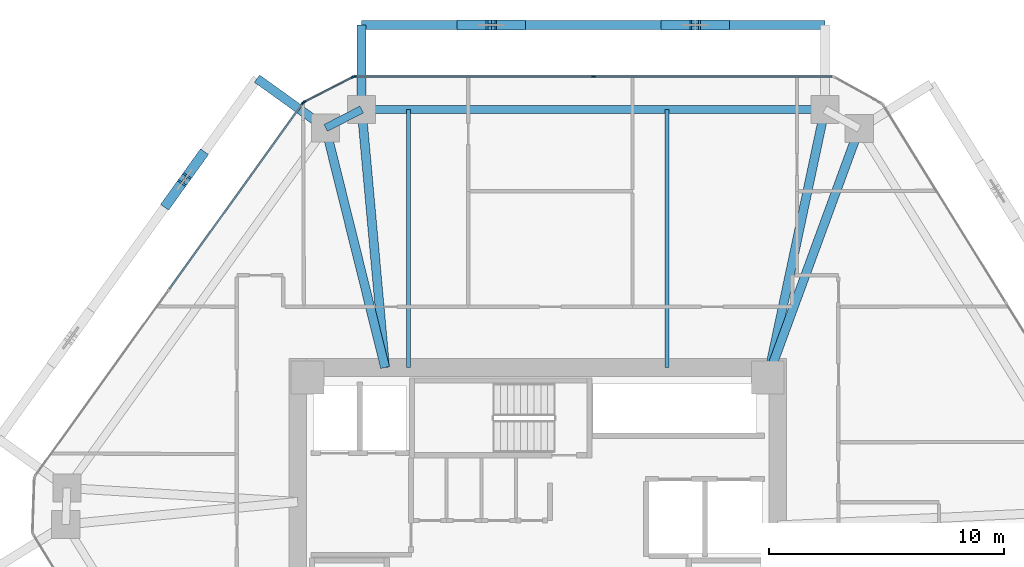
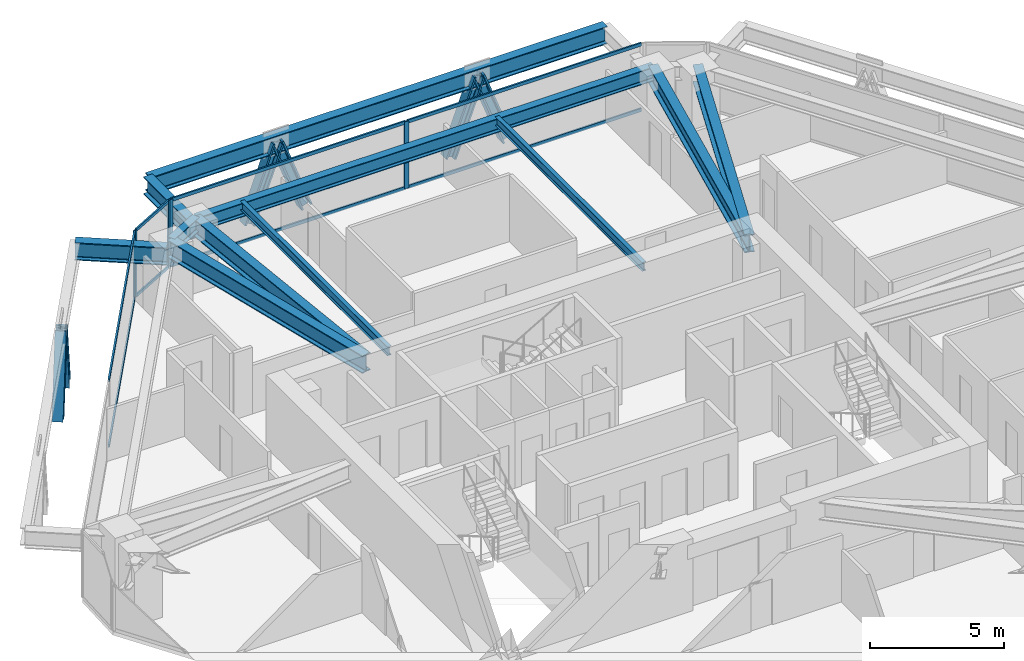
# One storey, part 7 of 16: 19 members, 11 beams, 3 elements without a shape of their own.
"""IFC4 building model written with IfcOpenShell, lengths in metres."""

from ifc_helpers import new_model, si_unit, direction, frame, origin, origin_2d, place, context, subcontext, project, spatial, rectangle, i_section, extrude, source, transform, mapped, material, layer, layer_set, material_profile, profile_set, type_object, type_shapes, element, aggregate, save


model = new_model("IFC4")

# Units and contexts
model_context = context("Model", 3, precision=1e-05, world=origin(), true_north=direction((0.0, 1.0)))
body_context = subcontext(model_context, "Body", "Model", "MODEL_VIEW")
ifc_project = project(units=[si_unit("LENGTHUNIT", "METRE"), si_unit("AREAUNIT", "SQUARE_METRE"), si_unit("VOLUMEUNIT", "CUBIC_METRE"), si_unit("PLANEANGLEUNIT", "RADIAN"), si_unit("MASSUNIT", "GRAM", prefix="KILO")], contexts=[model_context])

# Site, building, storey
site_placement = place(None, origin())
site = spatial("IfcSite", under=ifc_project, at=site_placement, CompositionType="ELEMENT")
building_placement = place(site_placement, origin())
building = spatial("IfcBuilding", under=site, at=building_placement, Name="Durnholm Broadcast Tower", CompositionType="ELEMENT")
storey_placement = place(building_placement, frame((0.0, 0.0, 110.699951171875)))
storey = spatial("IfcBuildingStorey", under=building, at=storey_placement, Name="L29", CompositionType="ELEMENT", Elevation=110.699951171875)

# Beams
ifc_material_1 = material(Name="Steel ASTM A992 Grade 50", Category="steel")
ifc_material_profile_1 = material_profile(ifc_material_1, i_section(OverallWidth=0.385009765625, OverallDepth=0.802978515625, WebThickness=0.023681640625, FlangeThickness=0.0419921875, FilletRadius=0.032958984375, at=origin_2d()), Name="W30X261")
ifc_profile_set_1 = profile_set([ifc_material_profile_1], Name="Steel ASTM A992 Grade 50")
beam_type_1 = type_object("IfcBeamType", Name="BM-EXO-TIE", PredefinedType="USERDEFINED", material=ifc_profile_set_1)
shared_shape_1 = source(origin(), body_context, "Body", "SweptSolid", [
    extrude(i_section(OverallWidth=0.385009765625, OverallDepth=0.802978515625, WebThickness=0.023681640625, FlangeThickness=0.0419921875, FilletRadius=0.032958984375, at=origin_2d()), origin(), (0.0, 0.0, 1.0), 3.4560546875),
])
beam_1_placement = place(storey_placement, frame((-7.498046875, 19.35888671875, 2.30859375), z_axis=(0.0, 1.0, 0.0), x_axis=(-1.0, 0.0, 0.0)))
element("IfcBeam", 1, at=beam_1_placement, inside=storey, type_object=beam_type_1, Name="L29 exoskeleton stand-off tie bracket F4.2", ObjectType="GIRDER", PredefinedType="USERDEFINED", context=body_context, shape_type="MappedRepresentation", body=[
    mapped(shared_shape_1, transform((0.0, 0.0, 0.0), x_axis=(1.0, 0.0, 0.0), y_axis=(0.0, 1.0, 0.0), z_axis=(0.0, 0.0, 1.0), scale=1.0)),
])
ifc_material_profile_2 = material_profile(ifc_material_1, i_section(OverallWidth=0.3291015625, OverallDepth=0.635009765625, WebThickness=0.017822265625, FlangeThickness=0.031005859375, FilletRadius=0.02783203125, at=origin_2d()), Name="W24X162")
ifc_profile_set_2 = profile_set([ifc_material_profile_2], Name="Steel ASTM A992 Grade 50")
beam_type_2 = type_object("IfcBeamType", Name="STL-SP-W24X162", PredefinedType="SPANDREL", material=ifc_profile_set_2)
shared_shape_2 = source(origin(), body_context, "Body", "SweptSolid", [
    extrude(i_section(OverallWidth=0.3291015625, OverallDepth=0.635009765625, WebThickness=0.017822265625, FlangeThickness=0.031005859375, FilletRadius=0.02783203125, at=origin_2d()), origin(), (0.0, 0.0, 1.0), 1.723876953125),
])
beam_2_placement = place(storey_placement, frame((-9.031982421875, 18.42822265625, 2.7275390625), z_axis=(0.889762904339, 0.456423020959, 0.0), x_axis=(-0.456423020959, 0.889762904339, 0.0)))
element("IfcBeam", 2, at=beam_2_placement, inside=storey, type_object=beam_type_2, Name="L29 perimeter spandrel girder 04", PredefinedType="SPANDREL", context=body_context, shape_type="MappedRepresentation", body=[
    mapped(shared_shape_2, transform((0.0, 0.0, 0.0), x_axis=(1.0, 0.0, 0.0), y_axis=(0.0, 1.0, 0.0), z_axis=(0.0, 0.0, 1.0), scale=1.0)),
])
shared_shape_3 = source(origin(), body_context, "Body", "SweptSolid", [
    extrude(i_section(OverallWidth=0.3291015625, OverallDepth=0.635009765625, WebThickness=0.017822265625, FlangeThickness=0.031005859375, FilletRadius=0.02783203125, at=origin_2d()), origin(), (0.0, 0.0, 1.0), 19.72802734375),
])
type_shapes(beam_type_2, [shared_shape_2, shared_shape_3])
beam_3_placement = place(storey_placement, frame((-7.498046875, 19.215087890625, 2.7275390625), z_axis=(1.0, 0.0, 0.0), x_axis=(0.0, 1.0, 0.0)))
element("IfcBeam", 3, at=beam_3_placement, inside=storey, type_object=beam_type_2, Name="L29 perimeter spandrel girder 05", PredefinedType="SPANDREL", context=body_context, shape_type="MappedRepresentation", body=[
    mapped(shared_shape_3, transform((0.0, 0.0, 0.0), x_axis=(1.0, 0.0, 0.0), y_axis=(0.0, 1.0, 0.0), z_axis=(0.0, 0.0, 1.0), scale=1.0)),
])
ifc_material_profile_3 = material_profile(ifc_material_1, i_section(OverallWidth=0.385009765625, OverallDepth=0.802978515625, WebThickness=0.023681640625, FlangeThickness=0.0419921875, FilletRadius=0.032958984375, at=origin_2d()), Name="W30X261")
ifc_profile_set_3 = profile_set([ifc_material_profile_3], Name="Steel ASTM A992 Grade 50")
beam_type_3 = type_object("IfcBeamType", Name="STL-GR-W30X261", PredefinedType="USERDEFINED", material=ifc_profile_set_3)
shared_shape_4 = source(origin(), body_context, "Body", "SweptSolid", [
    extrude(i_section(OverallWidth=0.385009765625, OverallDepth=0.802978515625, WebThickness=0.023681640625, FlangeThickness=0.0419921875, FilletRadius=0.032958984375, at=origin_2d()), origin(), (0.0, 0.0, 1.0), 10.5126953125),
])
beam_4_placement = place(storey_placement, frame((-6.5, 8.22509765625, 2.6435546875), z_axis=(-0.240852230194, 0.970561797729, 0.0), x_axis=(-0.970561797729, -0.240852230194, 0.0)))
element("IfcBeam", 4, at=beam_4_placement, inside=storey, type_object=beam_type_3, Name="L29 radial primary floor girder 04", ObjectType="GIRDER", PredefinedType="USERDEFINED", context=body_context, shape_type="MappedRepresentation", body=[
    mapped(shared_shape_4, transform((0.0, 0.0, 0.0), x_axis=(1.0, 0.0, 0.0), y_axis=(0.0, 1.0, 0.0), z_axis=(0.0, 0.0, 1.0), scale=1.0)),
])
shared_shape_5 = source(origin(), body_context, "Body", "SweptSolid", [
    extrude(i_section(OverallWidth=0.385009765625, OverallDepth=0.802978515625, WebThickness=0.023681640625, FlangeThickness=0.0419921875, FilletRadius=0.032958984375, at=origin_2d()), origin(), (0.0, 0.0, 1.0), 11.03515625),
])
beam_5_placement = place(storey_placement, frame((-6.5, 8.22509765625, 2.6435546875), z_axis=(-0.090441991612, 0.995901725148, 0.0), x_axis=(-0.995901725148, -0.090441991612, 0.0)))
element("IfcBeam", 5, at=beam_5_placement, inside=storey, type_object=beam_type_3, Name="L29 radial primary floor girder 05", ObjectType="GIRDER", PredefinedType="USERDEFINED", context=body_context, shape_type="MappedRepresentation", body=[
    mapped(shared_shape_5, transform((0.0, 0.0, 0.0), x_axis=(1.0, 0.0, 0.0), y_axis=(0.0, 1.0, 0.0), z_axis=(0.0, 0.0, 1.0), scale=1.0)),
])
shared_shape_6 = source(origin(), body_context, "Body", "SweptSolid", [
    extrude(i_section(OverallWidth=0.385009765625, OverallDepth=0.802978515625, WebThickness=0.023681640625, FlangeThickness=0.0419921875, FilletRadius=0.032958984375, at=origin_2d()), origin(), (0.0, 0.0, 1.0), 11.6708984375),
])
beam_6_placement = place(storey_placement, frame((9.800048828125, 7.800048828125, 2.6435546875), z_axis=(0.208206004915, 0.97808499606, 0.0), x_axis=(-0.97808499606, 0.208206004915, 0.0)))
element("IfcBeam", 6, at=beam_6_placement, inside=storey, type_object=beam_type_3, Name="L29 radial primary floor girder 06", ObjectType="GIRDER", PredefinedType="USERDEFINED", context=body_context, shape_type="MappedRepresentation", body=[
    mapped(shared_shape_6, transform((0.0, 0.0, 0.0), x_axis=(1.0, 0.0, 0.0), y_axis=(0.0, 1.0, 0.0), z_axis=(0.0, 0.0, 1.0), scale=1.0)),
])
shared_shape_7 = source(origin(), body_context, "Body", "SweptSolid", [
    extrude(i_section(OverallWidth=0.385009765625, OverallDepth=0.802978515625, WebThickness=0.023681640625, FlangeThickness=0.0419921875, FilletRadius=0.032958984375, at=origin_2d()), origin(), (0.0, 0.0, 1.0), 11.293212890625),
])
type_shapes(beam_type_3, [shared_shape_4, shared_shape_5, shared_shape_6, shared_shape_7])
beam_7_placement = place(storey_placement, frame((9.800048828125, 7.800048828125, 2.6435546875), z_axis=(0.344640193759, 0.938734859716, 0.0), x_axis=(-0.938734859716, 0.344640193759, 0.0)))
element("IfcBeam", 7, at=beam_7_placement, inside=storey, type_object=beam_type_3, Name="L29 radial primary floor girder 07", ObjectType="GIRDER", PredefinedType="USERDEFINED", context=body_context, shape_type="MappedRepresentation", body=[
    mapped(shared_shape_7, transform((0.0, 0.0, 0.0), x_axis=(1.0, 0.0, 0.0), y_axis=(0.0, 1.0, 0.0), z_axis=(0.0, 0.0, 1.0), scale=1.0)),
])
ifc_material_profile_4 = material_profile(ifc_material_1, i_section(OverallWidth=0.177734375, OverallDepth=0.40673828125, WebThickness=0.0078125, FlangeThickness=0.0126953125, FilletRadius=0.01904296875, at=origin_2d()), Name="W16X40")
ifc_profile_set_4 = profile_set([ifc_material_profile_4], Name="Steel ASTM A992 Grade 50")
beam_type_4 = type_object("IfcBeamType", Name="STL-BJ-W16X40", PredefinedType="JOIST", material=ifc_profile_set_4)
shared_shape_8 = source(origin(), body_context, "Body", "SweptSolid", [
    extrude(i_section(OverallWidth=0.177734375, OverallDepth=0.40673828125, WebThickness=0.0078125, FlangeThickness=0.0126953125, FilletRadius=0.01904296875, at=origin_2d()), origin(), (0.0, 0.0, 1.0), 10.989990234375),
])
type_shapes(beam_type_4, [shared_shape_8])
for number, where, z_axis, x_axis, name in (
    (8, (-5.5, 8.22509765625, 2.841796875), (0.0, 1.0, 0.0), (-1.0, 0.0, 0.0), "L29 secondary floor joist 3.2"),
    (9, (5.5, 8.22509765625, 2.841796875), (0.0, 1.0, 0.0), (-1.0, 0.0, 0.0), "L29 secondary floor joist 4.2"),
):
    element("IfcBeam", number, at=place(storey_placement, frame(where, z_axis=z_axis, x_axis=x_axis)), inside=storey, type_object=beam_type_4, Name=name, PredefinedType="JOIST", context=body_context, shape_type="MappedRepresentation", body=[
        mapped(shared_shape_8, transform((0.0, 0.0, 0.0), x_axis=(1.0, 0.0, 0.0), y_axis=(0.0, 1.0, 0.0), z_axis=(0.0, 0.0, 1.0), scale=1.0)),
    ])
shared_shape_9 = source(origin(), body_context, "Body", "SweptSolid", [
    extrude(i_section(OverallWidth=0.385009765625, OverallDepth=0.802978515625, WebThickness=0.023681640625, FlangeThickness=0.0419921875, FilletRadius=0.032958984375, at=origin_2d()), origin(), (0.0, 0.0, 1.0), 19.72802734375),
])
beam_8_placement = place(storey_placement, frame((12.22998046875, 22.81494140625, 2.30859375), z_axis=(-1.0, 0.0, 0.0), x_axis=(0.0, -1.0, 0.0)))
element("IfcBeam", 10, at=beam_8_placement, inside=storey, type_object=beam_type_1, Name="L29 exoskeleton collector spandrel F4", PredefinedType="SPANDREL", context=body_context, shape_type="MappedRepresentation", body=[
    mapped(shared_shape_9, transform((0.0, 0.0, 0.0), x_axis=(1.0, 0.0, 0.0), y_axis=(0.0, 1.0, 0.0), z_axis=(0.0, 0.0, 1.0), scale=1.0)),
])
shared_shape_10 = source(origin(), body_context, "Body", "SweptSolid", [
    extrude(i_section(OverallWidth=0.385009765625, OverallDepth=0.802978515625, WebThickness=0.023681640625, FlangeThickness=0.0419921875, FilletRadius=0.032958984375, at=origin_2d()), origin(), (0.0, 0.0, 1.0), 3.456298828125),
])
type_shapes(beam_type_1, [shared_shape_1, shared_shape_9, shared_shape_10])
beam_9_placement = place(storey_placement, frame((-9.14892578125, 18.51220703125, 2.30859375), z_axis=(-0.812131479052, 0.583474473077, 0.0), x_axis=(-0.583474473077, -0.812131479052, 0.0)))
element("IfcBeam", 11, at=beam_9_placement, inside=storey, type_object=beam_type_1, Name="L29 exoskeleton stand-off tie bracket F5.1", ObjectType="GIRDER", PredefinedType="USERDEFINED", context=body_context, shape_type="MappedRepresentation", body=[
    mapped(shared_shape_10, transform((0.0, 0.0, 0.0), x_axis=(1.0, 0.0, 0.0), y_axis=(0.0, 1.0, 0.0), z_axis=(0.0, 0.0, 1.0), scale=1.0)),
])

# Members
ifc_material_2 = material(Name="Steel ASTM A913 Grade 65", Category="steel")
ifc_material_profile_5 = material_profile(ifc_material_2, i_section(OverallWidth=0.424072265625, OverallDepth=0.47412109375, WebThickness=0.047607421875, FlangeThickness=0.0771484375, FilletRadius=0.030517578125, at=origin_2d()), Name="W14X426")
ifc_profile_set_5 = profile_set([ifc_material_profile_5], Name="Steel ASTM A913 Grade 65")
member_type_1 = type_object("IfcMemberType", Name="STL-DG-W14X426", PredefinedType="BRACE", material=ifc_profile_set_5)
shared_shape_11 = source(origin(), body_context, "Body", "SweptSolid", [
    extrude(i_section(OverallWidth=0.424072265625, OverallDepth=0.47412109375, WebThickness=0.047607421875, FlangeThickness=0.0771484375, FilletRadius=0.030517578125, at=origin_2d()), origin(), (0.0, 0.0, 1.0), 3.523193359375),
])
type_shapes(member_type_1, [shared_shape_11])
for number, where, z_axis, x_axis, name in (
    (12, (7.93994140625, 22.81494140625, -0.991455078125), (-0.350219588454, 0.0, 0.936667625075), (0.0, -1.0, 0.0), "L29 stand-off diagrid brace F4.D1.1"),
    (13, (5.472412109375, 22.81494140625, -0.991455078125), (0.350158790071, 0.0, 0.936690355313), (0.0, 1.0, 0.0), "L29 stand-off diagrid brace F4.D1.2"),
    (14, (-0.740478515625, 22.81494140625, -0.991455078125), (-0.350219588454, 0.0, 0.936667625075), (0.0, -1.0, 0.0), "L29 stand-off diagrid brace F4.D2.1"),
    (15, (-3.2080078125, 22.81494140625, -0.991455078125), (0.350158790071, 0.0, 0.936690355313), (0.0, 1.0, 0.0), "L29 stand-off diagrid brace F4.D2.2"),
    (16, (-14.321044921875, 17.236328125, -0.991455078125), (-0.204287819296, -0.284395254542, 0.936688756248), (0.812179469647, -0.583407669717, 0.0), "L29 stand-off diagrid brace F5.D1.1"),
    (17, (-15.7607421875, 15.232421875, -0.991455078125), (0.204354222964, 0.284391227889, 0.936675493998), (-0.812085698931, 0.583538188632, 0.0), "L29 stand-off diagrid brace F5.D1.2"),
):
    element("IfcMember", number, at=place(storey_placement, frame(where, z_axis=z_axis, x_axis=x_axis)), inside=storey, type_object=member_type_1, Name=name, PredefinedType="BRACE", context=body_context, shape_type="MappedRepresentation", body=[
        mapped(shared_shape_11, transform((0.0, 0.0, 0.0), x_axis=(1.0, 0.0, 0.0), y_axis=(0.0, 1.0, 0.0), z_axis=(0.0, 0.0, 1.0), scale=1.0)),
    ])

# Curtain wall, members
ifc_material_3 = material(Name="Aluminium and Solar Control IGU", Category="aluminium")
ifc_layer_1 = layer(ifc_material_3, 0.1650390625)
ifc_layer_set_1 = layer_set([ifc_layer_1], Name="Aluminium and Solar Control IGU")
curtain_wall_type_1 = type_object("IfcCurtainWallType", Name="CW-SYS-5", PredefinedType="NOTDEFINED", material=ifc_layer_set_1)
curtain_wall_1_placement = place(storey_placement, origin())
curtain_wall_1 = element("IfcCurtainWall", 18, at=curtain_wall_1_placement, inside=storey, type_object=curtain_wall_type_1, Name="L29 curtain wall CW-CORNER CW-L29-CRN-03", PredefinedType="NOTDEFINED")
ifc_material_4 = material(Name="Aluminium 6063-T6", Category="aluminium")
ifc_material_profile_6 = material_profile(ifc_material_4, rectangle(XDim=0.06494140625, YDim=0.1650390625, at=origin_2d()), Name="CWM65X165")
ifc_profile_set_6 = profile_set([ifc_material_profile_6], Name="Aluminium 6063-T6")
member_type_2 = type_object("IfcMemberType", Name="CW-SYS-5-MUL", PredefinedType="MULLION", material=ifc_profile_set_6)
shared_shape_12 = source(origin(), body_context, "Body", "SweptSolid", [
    extrude(rectangle(XDim=0.06494140625, YDim=0.1650390625, at=origin_2d()), origin(), (0.0, 0.0, 1.0), 3.06005859375),
])
type_shapes(member_type_2, [shared_shape_12])
member_1_placement = place(storey_placement, frame((-9.94287109375, 19.534423828125, 0.0), z_axis=(0.0, 0.0, 1.0), x_axis=(-0.45637332267, 0.889788396392, 0.0)))
member_1 = element("IfcMember", 19, at=member_1_placement, type_object=member_type_2, Name="CW-CORNER mullion 1", PredefinedType="MULLION", context=body_context, shape_type="MappedRepresentation", body=[
    mapped(shared_shape_12, transform((0.0, 0.0, 0.0), x_axis=(1.0, 0.0, 0.0), y_axis=(0.0, 1.0, 0.0), z_axis=(0.0, 0.0, 1.0), scale=1.0)),
])
member_2_placement = place(storey_placement, frame((-7.865234375, 20.60009765625, 0.0), z_axis=(0.0, 0.0, 1.0), x_axis=(-0.45637332267, 0.889788396392, 0.0)))
member_2 = element("IfcMember", 20, at=member_2_placement, type_object=member_type_2, Name="CW-CORNER mullion 2", PredefinedType="MULLION", context=body_context, shape_type="MappedRepresentation", body=[
    mapped(shared_shape_12, transform((0.0, 0.0, 0.0), x_axis=(1.0, 0.0, 0.0), y_axis=(0.0, 1.0, 0.0), z_axis=(0.0, 0.0, 1.0), scale=1.0)),
])

# Curtain wall, member
ifc_layer_2 = layer(ifc_material_3, 0.18994140625)
ifc_layer_set_2 = layer_set([ifc_layer_2], Name="Aluminium and Solar Control IGU")
curtain_wall_type_2 = type_object("IfcCurtainWallType", Name="CW-SYS-3", PredefinedType="NOTDEFINED", material=ifc_layer_set_2)
curtain_wall_2_placement = place(storey_placement, origin())
curtain_wall_2 = element("IfcCurtainWall", 21, at=curtain_wall_2_placement, inside=storey, type_object=curtain_wall_type_2, Name="L29 curtain wall CW-Z12-VIS CW-L29-F02", PredefinedType="NOTDEFINED")
ifc_material_profile_7 = material_profile(ifc_material_4, rectangle(XDim=0.070068359375, YDim=0.18994140625, at=origin_2d()), Name="CWM70X190")
ifc_profile_set_7 = profile_set([ifc_material_profile_7], Name="Aluminium 6063-T6")
member_type_3 = type_object("IfcMemberType", Name="CW-SYS-3-MUL", PredefinedType="MULLION", material=ifc_profile_set_7)
shared_shape_13 = source(origin(), body_context, "Body", "SweptSolid", [
    extrude(rectangle(XDim=0.070068359375, YDim=0.18994140625, at=origin_2d()), origin(), (0.0, 0.0, 1.0), 3.06005859375),
])
type_shapes(member_type_3, [shared_shape_13])
member_3_placement = place(storey_placement, frame((-9.9921875, 19.4912109375, 0.0), z_axis=(0.0, 0.0, 1.0), x_axis=(-0.812152312759, 0.583445473786, 0.0)))
member_3 = element("IfcMember", 22, at=member_3_placement, type_object=member_type_3, Name="CW-Z12-VIS mullion 3", PredefinedType="MULLION", context=body_context, shape_type="MappedRepresentation", body=[
    mapped(shared_shape_13, transform((0.0, 0.0, 0.0), x_axis=(1.0, 0.0, 0.0), y_axis=(0.0, 1.0, 0.0), z_axis=(0.0, 0.0, 1.0), scale=1.0)),
])

# Curtain wall, members
curtain_wall_3_placement = place(storey_placement, origin())
curtain_wall_3 = element("IfcCurtainWall", 23, at=curtain_wall_3_placement, inside=storey, type_object=curtain_wall_type_2, Name="L29 curtain wall CW-Z12-VIS CW-L29-F04", PredefinedType="NOTDEFINED")
member_4_placement = place(storey_placement, frame((-7.80126953125, 20.614990234375, 0.0), z_axis=(0.0, 0.0, 1.0), x_axis=(0.0, 1.0, 0.0)))
member_4 = element("IfcMember", 24, at=member_4_placement, type_object=member_type_3, Name="CW-Z12-VIS mullion 1", PredefinedType="MULLION", context=body_context, shape_type="MappedRepresentation", body=[
    mapped(shared_shape_13, transform((0.0, 0.0, 0.0), x_axis=(1.0, 0.0, 0.0), y_axis=(0.0, 1.0, 0.0), z_axis=(0.0, 0.0, 1.0), scale=1.0)),
])
member_5_placement = place(storey_placement, frame((2.37841796875, 20.614990234375, 0.0), z_axis=(0.0, 0.0, 1.0), x_axis=(0.0, 1.0, 0.0)))
member_5 = element("IfcMember", 25, at=member_5_placement, type_object=member_type_3, Name="CW-Z12-VIS mullion 2", PredefinedType="MULLION", context=body_context, shape_type="MappedRepresentation", body=[
    mapped(shared_shape_13, transform((0.0, 0.0, 0.0), x_axis=(1.0, 0.0, 0.0), y_axis=(0.0, 1.0, 0.0), z_axis=(0.0, 0.0, 1.0), scale=1.0)),
])

# Member
ifc_material_profile_8 = material_profile(ifc_material_4, rectangle(XDim=0.06494140625, YDim=0.1298828125, at=origin_2d()), Name="CWT65X130")
ifc_profile_set_8 = profile_set([ifc_material_profile_8], Name="Aluminium 6063-T6")
member_type_4 = type_object("IfcMemberType", Name="CW-SYS-5-TRN", PredefinedType="USERDEFINED", material=ifc_profile_set_8)
shared_shape_14 = source(origin(), body_context, "Body", "SweptSolid", [
    extrude(rectangle(XDim=0.06494140625, YDim=0.1298828125, at=origin_2d()), origin(), (0.0, 0.0, 1.0), 2.27001953125),
])
type_shapes(member_type_4, [shared_shape_14])
member_6_placement = place(storey_placement, frame((-9.913818359375, 19.54931640625, 0.032470703125), z_axis=(0.889754750021, 0.456438916849, 0.0), x_axis=(-0.456438916849, 0.889754750021, 0.0)))
member_6 = element("IfcMember", 26, at=member_6_placement, type_object=member_type_4, Name="CW-CORNER transom 1.1", ObjectType="TRANSOM", PredefinedType="USERDEFINED", context=body_context, shape_type="MappedRepresentation", body=[
    mapped(shared_shape_14, transform((0.0, 0.0, 0.0), x_axis=(1.0, 0.0, 0.0), y_axis=(0.0, 1.0, 0.0), z_axis=(0.0, 0.0, 1.0), scale=1.0)),
])

member_7_placement = place(storey_placement, frame((-9.913818359375, 19.54931640625, 3.027587890625), z_axis=(0.889754750021, 0.456438916849, 0.0), x_axis=(-0.456438916849, 0.889754750021, 0.0)))
member_7 = element("IfcMember", 27, at=member_7_placement, type_object=member_type_4, Name="CW-CORNER transom 1.2", ObjectType="TRANSOM", PredefinedType="USERDEFINED", context=body_context, shape_type="MappedRepresentation", body=[
    mapped(shared_shape_14, transform((0.0, 0.0, 0.0), x_axis=(1.0, 0.0, 0.0), y_axis=(0.0, 1.0, 0.0), z_axis=(0.0, 0.0, 1.0), scale=1.0)),
])

aggregate(curtain_wall_1, [member_1, member_2, member_6, member_7])

ifc_material_profile_9 = material_profile(ifc_material_4, rectangle(XDim=0.070068359375, YDim=0.14990234375, at=origin_2d()), Name="CWT70X150")
ifc_profile_set_9 = profile_set([ifc_material_profile_9], Name="Aluminium 6063-T6")
member_type_5 = type_object("IfcMemberType", Name="CW-SYS-3-TRN", PredefinedType="USERDEFINED", material=ifc_profile_set_9)
shared_shape_15 = source(origin(), body_context, "Body", "SweptSolid", [
    extrude(rectangle(XDim=0.070068359375, YDim=0.14990234375, at=origin_2d()), origin(), (0.0, 0.0, 1.0), 9.71875),
])
member_8_placement = place(storey_placement, frame((-15.682861328125, 11.56982421875, 0.03515625), z_axis=(0.583450726174, 0.812148539448, 0.0), x_axis=(-0.812148539448, 0.583450726174, 0.0)))
member_8 = element("IfcMember", 28, at=member_8_placement, type_object=member_type_5, Name="CW-Z12-VIS transom 2.1", ObjectType="TRANSOM", PredefinedType="USERDEFINED", context=body_context, shape_type="MappedRepresentation", body=[
    mapped(shared_shape_15, transform((0.0, 0.0, 0.0), x_axis=(1.0, 0.0, 0.0), y_axis=(0.0, 1.0, 0.0), z_axis=(0.0, 0.0, 1.0), scale=1.0)),
])

member_9_placement = place(storey_placement, frame((-15.682861328125, 11.56982421875, 3.025146484375), z_axis=(0.583450726174, 0.812148539448, 0.0), x_axis=(-0.812148539448, 0.583450726174, 0.0)))
member_9 = element("IfcMember", 29, at=member_9_placement, type_object=member_type_5, Name="CW-Z12-VIS transom 2.2", ObjectType="TRANSOM", PredefinedType="USERDEFINED", context=body_context, shape_type="MappedRepresentation", body=[
    mapped(shared_shape_15, transform((0.0, 0.0, 0.0), x_axis=(1.0, 0.0, 0.0), y_axis=(0.0, 1.0, 0.0), z_axis=(0.0, 0.0, 1.0), scale=1.0)),
])

aggregate(curtain_wall_2, [member_3, member_8, member_9])

shared_shape_16 = source(origin(), body_context, "Body", "SweptSolid", [
    extrude(rectangle(XDim=0.070068359375, YDim=0.14990234375, at=origin_2d()), origin(), (0.0, 0.0, 1.0), 10.109619140625),
])
type_shapes(member_type_5, [shared_shape_15, shared_shape_16])
member_10_placement = place(storey_placement, frame((-7.76611328125, 20.614990234375, 0.03515625), z_axis=(1.0, 0.0, 0.0), x_axis=(0.0, 1.0, 0.0)))
member_10 = element("IfcMember", 30, at=member_10_placement, type_object=member_type_5, Name="CW-Z12-VIS transom 1.1", ObjectType="TRANSOM", PredefinedType="USERDEFINED", context=body_context, shape_type="MappedRepresentation", body=[
    mapped(shared_shape_16, transform((0.0, 0.0, 0.0), x_axis=(1.0, 0.0, 0.0), y_axis=(0.0, 1.0, 0.0), z_axis=(0.0, 0.0, 1.0), scale=1.0)),
])

member_11_placement = place(storey_placement, frame((-7.76611328125, 20.614990234375, 3.025146484375), z_axis=(1.0, 0.0, 0.0), x_axis=(0.0, 1.0, 0.0)))
member_11 = element("IfcMember", 31, at=member_11_placement, type_object=member_type_5, Name="CW-Z12-VIS transom 1.2", ObjectType="TRANSOM", PredefinedType="USERDEFINED", context=body_context, shape_type="MappedRepresentation", body=[
    mapped(shared_shape_16, transform((0.0, 0.0, 0.0), x_axis=(1.0, 0.0, 0.0), y_axis=(0.0, 1.0, 0.0), z_axis=(0.0, 0.0, 1.0), scale=1.0)),
])

member_12_placement = place(storey_placement, frame((2.41357421875, 20.614990234375, 0.03515625), z_axis=(1.0, 0.0, 0.0), x_axis=(0.0, 1.0, 0.0)))
member_12 = element("IfcMember", 32, at=member_12_placement, type_object=member_type_5, Name="CW-Z12-VIS transom 2.1", ObjectType="TRANSOM", PredefinedType="USERDEFINED", context=body_context, shape_type="MappedRepresentation", body=[
    mapped(shared_shape_16, transform((0.0, 0.0, 0.0), x_axis=(1.0, 0.0, 0.0), y_axis=(0.0, 1.0, 0.0), z_axis=(0.0, 0.0, 1.0), scale=1.0)),
])

member_13_placement = place(storey_placement, frame((2.41357421875, 20.614990234375, 3.025146484375), z_axis=(1.0, 0.0, 0.0), x_axis=(0.0, 1.0, 0.0)))
member_13 = element("IfcMember", 33, at=member_13_placement, type_object=member_type_5, Name="CW-Z12-VIS transom 2.2", ObjectType="TRANSOM", PredefinedType="USERDEFINED", context=body_context, shape_type="MappedRepresentation", body=[
    mapped(shared_shape_16, transform((0.0, 0.0, 0.0), x_axis=(1.0, 0.0, 0.0), y_axis=(0.0, 1.0, 0.0), z_axis=(0.0, 0.0, 1.0), scale=1.0)),
])

aggregate(curtain_wall_3, [member_4, member_5, member_10, member_11, member_12, member_13])

save(model, "model.ifc")
